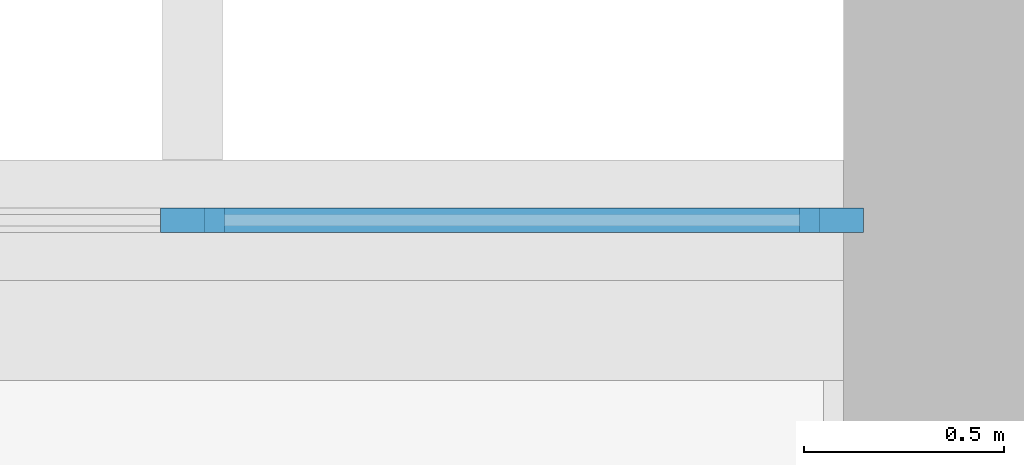
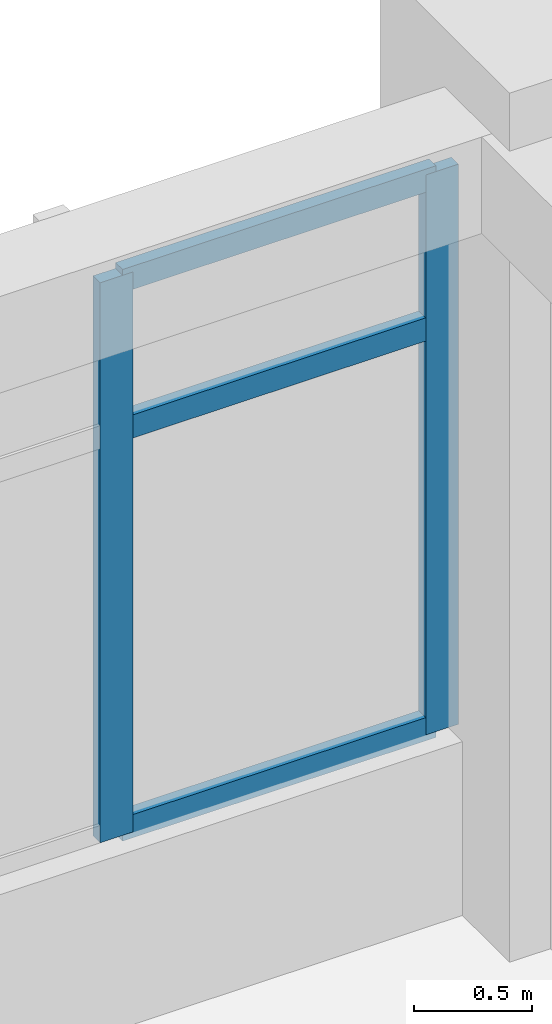
# One storey, part 22 of 52: 5 members, 1 element without a shape of its own.
"""IFC4 building model written with IfcOpenShell, lengths in metres."""

from ifc_helpers import new_model, si_unit, direction, frame, origin, origin_2d, place, context, subcontext, project, spatial, rectangle, extrude, material, layer, layer_set, material_profile, profile_set, type_object, element, aggregate, save


model = new_model("IFC4")

# Units and contexts
model_context = context("Model", 3, precision=1e-05, world=origin(), true_north=direction((0.0, 1.0)))
body_context = subcontext(model_context, "Body", "Model", "MODEL_VIEW")
ifc_project = project(units=[si_unit("LENGTHUNIT", "METRE"), si_unit("AREAUNIT", "SQUARE_METRE"), si_unit("VOLUMEUNIT", "CUBIC_METRE"), si_unit("PLANEANGLEUNIT", "RADIAN"), si_unit("MASSUNIT", "GRAM", prefix="KILO")], contexts=[model_context])

# Site, building, storey
site_placement = place(None, origin())
site = spatial("IfcSite", under=ifc_project, at=site_placement, CompositionType="ELEMENT")
building_placement = place(site_placement, origin())
building = spatial("IfcBuilding", under=site, at=building_placement, Name="Vermilion Court Aquatics Centre", CompositionType="ELEMENT")
storey_placement = place(building_placement, frame((0.0, 0.0, 12.0)))
storey = spatial("IfcBuildingStorey", under=building, at=storey_placement, Name="L02", CompositionType="ELEMENT", Elevation=12.0)

# Curtain wall, members
ifc_material_1 = material(Name="Aluminium 6063-T5", Category="aluminium")
ifc_layer = layer(ifc_material_1, 0.14990234375)
ifc_layer_set = layer_set([ifc_layer], Name="Podium curtain wall bay, 1800 module")
curtain_wall_type = type_object("IfcCurtainWallType", Name="Podium curtain wall bay, 1800 module", PredefinedType="NOTDEFINED", material=ifc_layer_set)
curtain_wall_placement = place(storey_placement, origin())
curtain_wall = element("IfcCurtainWall", 1, at=curtain_wall_placement, inside=storey, type_object=curtain_wall_type, Name="Curtain wall L02", PredefinedType="NOTDEFINED")
ifc_material_2 = material(Name="Aluminium 6063-T5", Category="aluminium")
ifc_material_profile_1 = material_profile(ifc_material_2, rectangle(XDim=0.06005859375, YDim=0.159912109375, at=origin_2d()), Name="Mullion 60x160")
ifc_profile_set_1 = profile_set([ifc_material_profile_1], Name="Aluminium 6063-T5")
member_type_1 = type_object("IfcMemberType", Name="Podium curtain wall mullion 60x160", PredefinedType="MULLION", material=ifc_profile_set_1)
member_1_placement = place(storey_placement, frame((192.425048828125, 115.199951171875, 0.89990234375), z_axis=(0.0, 0.0, 1.0), x_axis=(0.0, 1.0, 0.0)))
member_1 = element("IfcMember", 2, at=member_1_placement, type_object=member_type_1, Name="PG2 mullion 4", PredefinedType="MULLION", context=body_context, shape_type="SweptSolid", body=[
    extrude(rectangle(XDim=0.06005859375, YDim=0.159912109375, at=origin_2d()), origin(), (0.0, 0.0, 1.0), 2.900146484375),
])
member_2_placement = place(storey_placement, frame((194.02001953125, 115.199951171875, 0.89990234375), z_axis=(0.0, 0.0, 1.0), x_axis=(0.0, 1.0, 0.0)))
member_2 = element("IfcMember", 3, at=member_2_placement, type_object=member_type_1, Name="PG2 mullion 5", PredefinedType="MULLION", context=body_context, shape_type="SweptSolid", body=[
    extrude(rectangle(XDim=0.06005859375, YDim=0.159912109375, at=origin_2d()), origin(), (0.0, 0.0, 1.0), 2.900146484375),
])
ifc_material_3 = material(Name="Aluminium 6063-T5", Category="aluminium")
ifc_material_profile_2 = material_profile(ifc_material_3, rectangle(XDim=0.06005859375, YDim=0.1201171875, at=origin_2d()), Name="Transom 60x120")
ifc_profile_set_2 = profile_set([ifc_material_profile_2], Name="Aluminium 6063-T5")
member_type_2 = type_object("IfcMemberType", Name="Podium curtain wall transom 60x120", PredefinedType="USERDEFINED", material=ifc_profile_set_2)
member_3_placement = place(storey_placement, frame((192.455078125, 115.199951171875, 0.929931640625), z_axis=(1.0, 0.0, 0.0), x_axis=(0.0, 1.0, 0.0)))
member_3 = element("IfcMember", 4, at=member_3_placement, type_object=member_type_2, Name="PG2 transom 4.1", ObjectType="TRANSOM", PredefinedType="USERDEFINED", context=body_context, shape_type="SweptSolid", body=[
    extrude(rectangle(XDim=0.06005859375, YDim=0.1201171875, at=origin_2d()), origin(), (0.0, 0.0, 1.0), 1.534912109375),
])
member_4_placement = place(storey_placement, frame((192.455078125, 115.199951171875, 3.0), z_axis=(1.0, 0.0, 0.0), x_axis=(0.0, 1.0, 0.0)))
member_4 = element("IfcMember", 5, at=member_4_placement, type_object=member_type_2, Name="PG2 transom 4.2", ObjectType="TRANSOM", PredefinedType="USERDEFINED", context=body_context, shape_type="SweptSolid", body=[
    extrude(rectangle(XDim=0.06005859375, YDim=0.1201171875, at=origin_2d()), origin(), (0.0, 0.0, 1.0), 1.534912109375),
])
member_5_placement = place(storey_placement, frame((192.455078125, 115.199951171875, 3.77001953125), z_axis=(1.0, 0.0, 0.0), x_axis=(0.0, 1.0, 0.0)))
member_5 = element("IfcMember", 6, at=member_5_placement, type_object=member_type_2, Name="PG2 transom 4.3", ObjectType="TRANSOM", PredefinedType="USERDEFINED", context=body_context, shape_type="SweptSolid", body=[
    extrude(rectangle(XDim=0.06005859375, YDim=0.1201171875, at=origin_2d()), origin(), (0.0, 0.0, 1.0), 1.534912109375),
])
aggregate(curtain_wall, [member_1, member_2, member_3, member_4, member_5])

save(model, "model.ifc")
